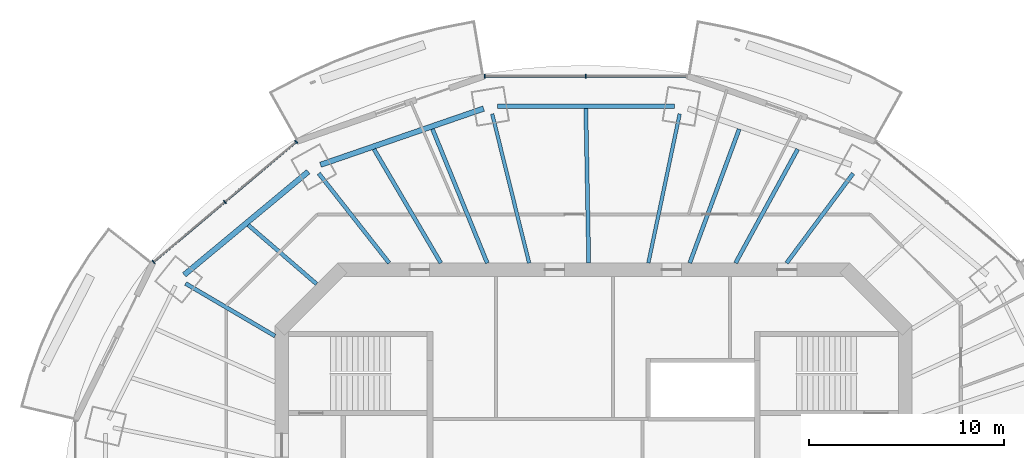
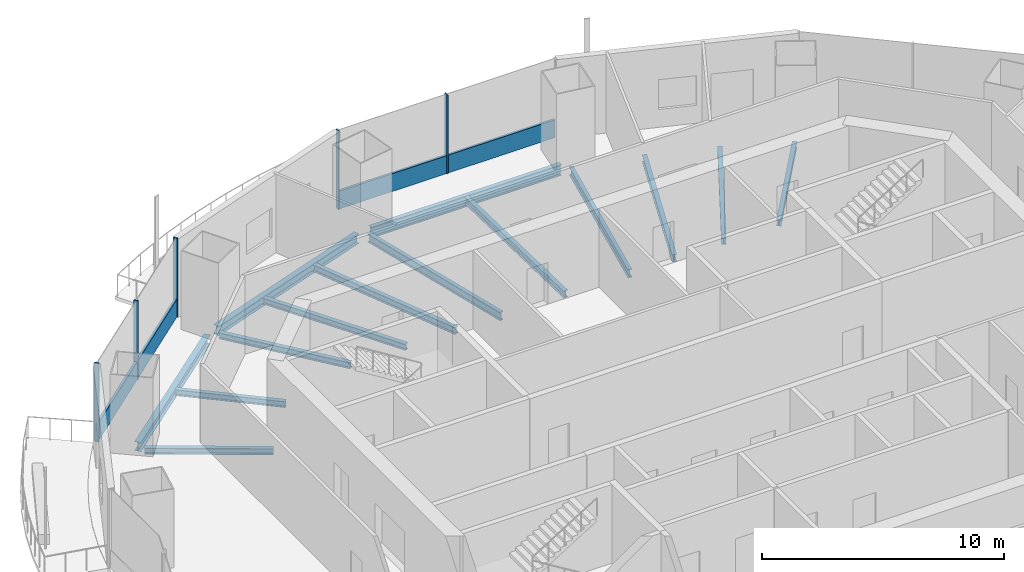
# One storey, part 5 of 16: 14 beams, 7 members, 2 elements without a shape of their own.
"""IFC4 building model written with IfcOpenShell, lengths in metres."""

from ifc_helpers import new_model, si_unit, direction, frame, origin, origin_2d, place, context, subcontext, project, spatial, rectangle, i_section, extrude, material, material_profile, profile_set, type_object, element, aggregate, save


model = new_model("IFC4")

# Units and contexts
model_context = context("Model", 3, precision=1e-05, world=origin(), true_north=direction((0.0, 1.0)))
body_context = subcontext(model_context, "Body", "Model", "MODEL_VIEW")
ifc_project = project(units=[si_unit("LENGTHUNIT", "METRE"), si_unit("AREAUNIT", "SQUARE_METRE"), si_unit("VOLUMEUNIT", "CUBIC_METRE"), si_unit("PLANEANGLEUNIT", "RADIAN"), si_unit("MASSUNIT", "GRAM", prefix="KILO")], contexts=[model_context])

# Site, building, storey
site_placement = place(None, origin())
site = spatial("IfcSite", under=ifc_project, at=site_placement, CompositionType="ELEMENT")
building_placement = place(site_placement, origin())
building = spatial("IfcBuilding", under=site, at=building_placement, Name="Marenthal Gate Tower", CompositionType="ELEMENT")
storey_placement = place(building_placement, frame((0.0, 0.0, 355.050048828125)))
storey = spatial("IfcBuildingStorey", under=building, at=storey_placement, Name="L80", CompositionType="ELEMENT", Elevation=355.050048828125)

# Curtain wall, members
ifc_material_1 = material(Name="Aluminium and glass", Category="aluminium")
curtain_wall_type = type_object("IfcCurtainWallType", Name="Curtain wall typical high", PredefinedType="NOTDEFINED", material=ifc_material_1)
curtain_wall_1_placement = place(storey_placement, origin())
curtain_wall_1 = element("IfcCurtainWall", 1, at=curtain_wall_1_placement, inside=storey, type_object=curtain_wall_type, Name="Curtain wall L80 bay 4", PredefinedType="NOTDEFINED")
ifc_material_2 = material(Name="Aluminium", Category="aluminium")
ifc_material_profile_1 = material_profile(ifc_material_2, rectangle(XDim=0.199951171875, YDim=0.06005859375, at=origin_2d()), Name="60x200 aluminium mullion")
ifc_profile_set_1 = profile_set([ifc_material_profile_1], Name="Aluminium")
member_type_1 = type_object("IfcMemberType", Name="Mullion 60x200 typical high", PredefinedType="MULLION", material=ifc_profile_set_1)
member_1_placement = place(storey_placement, frame((-0.39990234375, 22.944091796875, 0.0), z_axis=(0.0, 0.0, 1.0), x_axis=(0.0, -1.0, 0.0)))
member_1 = element("IfcMember", 2, at=member_1_placement, type_object=member_type_1, Name="Mullion L80 bay 4.2", PredefinedType="MULLION", context=body_context, shape_type="SweptSolid", body=[
    extrude(rectangle(XDim=0.199951171875, YDim=0.06005859375, at=origin_2d()), origin(), (0.0, 0.0, 1.0), 3.969970703125),
])
member_2_placement = place(storey_placement, frame((-5.580322265625, 22.944091796875, 0.0), z_axis=(0.0, 0.0, 1.0), x_axis=(0.0, -1.0, 0.0)))
member_2 = element("IfcMember", 3, at=member_2_placement, type_object=member_type_1, Name="Mullion L80 bay 4.3", PredefinedType="MULLION", context=body_context, shape_type="SweptSolid", body=[
    extrude(rectangle(XDim=0.199951171875, YDim=0.06005859375, at=origin_2d()), origin(), (0.0, 0.0, 1.0), 3.969970703125),
])

curtain_wall_2_placement = place(storey_placement, origin())
curtain_wall_2 = element("IfcCurtainWall", 4, at=curtain_wall_2_placement, inside=storey, type_object=curtain_wall_type, Name="Curtain wall L80 bay 6", PredefinedType="NOTDEFINED")
member_3_placement = place(storey_placement, frame((-15.260498046875, 19.56884765625, 0.0), z_axis=(0.0, 0.0, 1.0), x_axis=(0.643895579249, -0.765113379195, 0.0)))
member_3 = element("IfcMember", 5, at=member_3_placement, type_object=member_type_1, Name="Mullion L80 bay 6.1", PredefinedType="MULLION", context=body_context, shape_type="SweptSolid", body=[
    extrude(rectangle(XDim=0.199951171875, YDim=0.06005859375, at=origin_2d()), origin(), (0.0, 0.0, 1.0), 3.969970703125),
])
member_4_placement = place(storey_placement, frame((-18.921875, 16.487548828125, 0.0), z_axis=(0.0, 0.0, 1.0), x_axis=(0.643895579249, -0.765113379195, 0.0)))
member_4 = element("IfcMember", 6, at=member_4_placement, type_object=member_type_1, Name="Mullion L80 bay 6.2", PredefinedType="MULLION", context=body_context, shape_type="SweptSolid", body=[
    extrude(rectangle(XDim=0.199951171875, YDim=0.06005859375, at=origin_2d()), origin(), (0.0, 0.0, 1.0), 3.969970703125),
])
member_5_placement = place(storey_placement, frame((-22.583251953125, 13.40625, 0.0), z_axis=(0.0, 0.0, 1.0), x_axis=(0.643895579249, -0.765113379195, 0.0)))
member_5 = element("IfcMember", 7, at=member_5_placement, type_object=member_type_1, Name="Mullion L80 bay 6.3", PredefinedType="MULLION", context=body_context, shape_type="SweptSolid", body=[
    extrude(rectangle(XDim=0.199951171875, YDim=0.06005859375, at=origin_2d()), origin(), (0.0, 0.0, 1.0), 3.969970703125),
])

# Member
ifc_material_3 = material(Name="Aluminium", Category="aluminium")
ifc_material_profile_2 = material_profile(ifc_material_3, rectangle(XDim=0.1201171875, YDim=0.89990234375, at=origin_2d()), Name="120x900 aluminium transom")
ifc_profile_set_2 = profile_set([ifc_material_profile_2], Name="Aluminium")
member_type_2 = type_object("IfcMemberType", Name="Transom 120x900 typical high", PredefinedType="USERDEFINED", material=ifc_profile_set_2)
member_6_placement = place(storey_placement, frame((4.750244140625, 22.944091796875, 0.449951171875), z_axis=(-1.0, 0.0, 0.0), x_axis=(0.0, -1.0, 0.0)))
member_6 = element("IfcMember", 8, at=member_6_placement, type_object=member_type_2, Name="Transom L80 bay 4", ObjectType="TRANSOM", PredefinedType="USERDEFINED", context=body_context, shape_type="SweptSolid", body=[
    extrude(rectangle(XDim=0.1201171875, YDim=0.89990234375, at=origin_2d()), origin(), (0.0, 0.0, 1.0), 10.300537109375),
])

aggregate(curtain_wall_1, [member_1, member_2, member_6])

member_7_placement = place(storey_placement, frame((-15.283447265625, 19.549560546875, 0.449951171875), z_axis=(-0.765110860749, -0.643898571798, 0.0), x_axis=(0.643898571798, -0.765110860749, 0.0)))
member_7 = element("IfcMember", 9, at=member_7_placement, type_object=member_type_2, Name="Transom L80 bay 6", ObjectType="TRANSOM", PredefinedType="USERDEFINED", context=body_context, shape_type="SweptSolid", body=[
    extrude(rectangle(XDim=0.1201171875, YDim=0.89990234375, at=origin_2d()), origin(), (0.0, 0.0, 1.0), 9.5107421875),
])

aggregate(curtain_wall_2, [member_3, member_4, member_5, member_7])

# Beams
ifc_material_4 = material(Name="Steel S355", Category="steel")
ifc_material_profile_3 = material_profile(ifc_material_4, i_section(OverallWidth=0.202880859375, OverallDepth=0.302001953125, WebThickness=0.007568359375, FlangeThickness=0.01318359375, FilletRadius=0.0126953125, at=origin_2d()), Name="W310X60")
ifc_profile_set_3 = profile_set([ifc_material_profile_3], Name="Steel S355")
beam_type_1 = type_object("IfcBeamType", Name="W310X60 beam", PredefinedType="BEAM", material=ifc_profile_set_3)
beam_1_placement = place(storey_placement, frame((-17.718994140625, 15.29931640625, -0.3310546875), z_axis=(0.756893030268, -0.653538782882, 0.0), x_axis=(0.653538782882, 0.756893030268, 0.0)))
element("IfcBeam", 10, at=beam_1_placement, inside=storey, type_object=beam_type_1, Name="BM-L80-25", PredefinedType="BEAM", context=body_context, shape_type="SweptSolid", body=[
    extrude(i_section(OverallWidth=0.202880859375, OverallDepth=0.302001953125, WebThickness=0.007568359375, FlangeThickness=0.01318359375, FilletRadius=0.0126953125, at=origin_2d()), origin(), (0.0, 0.0, 1.0), 4.625244140625),
])
ifc_material_5 = material(Name="Steel S355", Category="steel")
ifc_material_profile_4 = material_profile(ifc_material_5, i_section(OverallWidth=0.205078125, OverallDepth=0.31005859375, WebThickness=0.009521484375, FlangeThickness=0.016357421875, FilletRadius=0.0126953125, at=origin_2d()), Name="W310X74")
ifc_profile_set_4 = profile_set([ifc_material_profile_4], Name="Steel S355")
beam_type_2 = type_object("IfcBeamType", Name="W310X74 beam", PredefinedType="BEAM", material=ifc_profile_set_4)
beam_2_placement = place(storey_placement, frame((13.31689453125, 17.947021484375, -0.3349609375), z_axis=(-0.595904600205, -0.803055233128, 0.0), x_axis=(0.803055233128, -0.595904600205, 0.0)))
element("IfcBeam", 11, at=beam_2_placement, inside=storey, type_object=beam_type_2, Name="BM-L80-03", PredefinedType="BEAM", context=body_context, shape_type="SweptSolid", body=[
    extrude(i_section(OverallWidth=0.205078125, OverallDepth=0.31005859375, WebThickness=0.009521484375, FlangeThickness=0.016357421875, FilletRadius=0.0126953125, at=origin_2d()), origin(), (0.0, 0.0, 1.0), 5.724365234375),
])
beam_3_placement = place(storey_placement, frame((-14.10546875, 17.95068359375, -0.3349609375), z_axis=(0.617873148228, -0.786277796138, 0.0), x_axis=(0.786277796138, 0.617873148228, 0.0)))
element("IfcBeam", 12, at=beam_3_placement, inside=storey, type_object=beam_type_2, Name="BM-L80-06", PredefinedType="BEAM", context=body_context, shape_type="SweptSolid", body=[
    extrude(i_section(OverallWidth=0.205078125, OverallDepth=0.31005859375, WebThickness=0.009521484375, FlangeThickness=0.016357421875, FilletRadius=0.0126953125, at=origin_2d()), origin(), (0.0, 0.0, 1.0), 5.85107421875),
])
beam_4_placement = place(storey_placement, frame((-20.939208984375, 12.3017578125, -0.3349609375), z_axis=(0.862215904587, -0.506540949852, 0.0), x_axis=(0.506540949852, 0.862215904587, 0.0)))
element("IfcBeam", 13, at=beam_4_placement, inside=storey, type_object=beam_type_2, Name="BM-L80-07", PredefinedType="BEAM", context=body_context, shape_type="SweptSolid", body=[
    extrude(i_section(OverallWidth=0.205078125, OverallDepth=0.31005859375, WebThickness=0.009521484375, FlangeThickness=0.016357421875, FilletRadius=0.0126953125, at=origin_2d()), origin(), (0.0, 0.0, 1.0), 5.322509765625),
])
beam_5_placement = place(storey_placement, frame((10.472900390625, 19.190185546875, -0.3349609375), z_axis=(-0.479083499801, -0.877769332011, 0.0), x_axis=(0.877769332011, -0.479083499801, 0.0)))
element("IfcBeam", 14, at=beam_5_placement, inside=storey, type_object=beam_type_2, Name="BM-L80-20", PredefinedType="BEAM", context=body_context, shape_type="SweptSolid", body=[
    extrude(i_section(OverallWidth=0.205078125, OverallDepth=0.31005859375, WebThickness=0.009521484375, FlangeThickness=0.016357421875, FilletRadius=0.0126953125, at=origin_2d()), origin(), (0.0, 0.0, 1.0), 6.6533203125),
])
beam_6_placement = place(storey_placement, frame((-11.2685546875, 19.191650390625, -0.3349609375), z_axis=(0.506358476452, -0.862323079435, 0.0), x_axis=(0.862323079435, 0.506358476452, 0.0)))
element("IfcBeam", 15, at=beam_6_placement, inside=storey, type_object=beam_type_2, Name="BM-L80-24", PredefinedType="BEAM", context=body_context, shape_type="SweptSolid", body=[
    extrude(i_section(OverallWidth=0.205078125, OverallDepth=0.31005859375, WebThickness=0.009521484375, FlangeThickness=0.016357421875, FilletRadius=0.0126953125, at=origin_2d()), origin(), (0.0, 0.0, 1.0), 6.774169921875),
])
ifc_material_6 = material(Name="Steel S355", Category="steel")
ifc_material_profile_5 = material_profile(ifc_material_6, i_section(OverallWidth=0.205078125, OverallDepth=0.35302734375, WebThickness=0.009521484375, FlangeThickness=0.016845703125, FilletRadius=0.014892578125, at=origin_2d()), Name="W360X79")
ifc_profile_set_5 = profile_set([ifc_material_profile_5], Name="Steel S355")
beam_type_3 = type_object("IfcBeamType", Name="W360X79 beam", PredefinedType="BEAM", material=ifc_profile_set_5)
beam_7_placement = place(storey_placement, frame((7.472900390625, 20.2236328125, -0.3564453125), z_axis=(-0.346599160147, -0.938013337957, 0.0), x_axis=(0.938013337957, -0.346599160147, 0.0)))
element("IfcBeam", 16, at=beam_7_placement, inside=storey, type_object=beam_type_3, Name="BM-L80-21", PredefinedType="BEAM", context=body_context, shape_type="SweptSolid", body=[
    extrude(i_section(OverallWidth=0.205078125, OverallDepth=0.35302734375, WebThickness=0.009521484375, FlangeThickness=0.016845703125, FilletRadius=0.014892578125, at=origin_2d()), origin(), (0.0, 0.0, 1.0), 7.32763671875),
])
beam_8_placement = place(storey_placement, frame((-0.39794921875, 21.28857421875, -0.3564453125), z_axis=(0.018695218948, -0.999825229122, 0.0), x_axis=(0.999825229122, 0.018695218948, 0.0)))
element("IfcBeam", 17, at=beam_8_placement, inside=storey, type_object=beam_type_3, Name="BM-L80-22", PredefinedType="BEAM", context=body_context, shape_type="SweptSolid", body=[
    extrude(i_section(OverallWidth=0.205078125, OverallDepth=0.35302734375, WebThickness=0.009521484375, FlangeThickness=0.016845703125, FilletRadius=0.014892578125, at=origin_2d()), origin(), (0.0, 0.0, 1.0), 7.93994140625),
])
beam_9_placement = place(storey_placement, frame((-8.268310546875, 20.22509765625, -0.3564453125), z_axis=(0.378407568357, -0.925639083126, 0.0), x_axis=(0.925639083126, 0.378407568357, 0.0)))
element("IfcBeam", 18, at=beam_9_placement, inside=storey, type_object=beam_type_3, Name="BM-L80-23", PredefinedType="BEAM", context=body_context, shape_type="SweptSolid", body=[
    extrude(i_section(OverallWidth=0.205078125, OverallDepth=0.35302734375, WebThickness=0.009521484375, FlangeThickness=0.016845703125, FilletRadius=0.014892578125, at=origin_2d()), origin(), (0.0, 0.0, 1.0), 7.42724609375),
])
ifc_material_7 = material(Name="Steel S355", Category="steel")
ifc_material_profile_6 = material_profile(ifc_material_7, i_section(OverallWidth=0.180908203125, OverallDepth=0.4169921875, WebThickness=0.010986328125, FlangeThickness=0.018310546875, FilletRadius=0.01025390625, at=origin_2d()), Name="W410X85")
ifc_profile_set_6 = profile_set([ifc_material_profile_6], Name="Steel S355")
beam_type_4 = type_object("IfcBeamType", Name="W410X85 beam", PredefinedType="BEAM", material=ifc_profile_set_6)
beam_10_placement = place(storey_placement, frame((4.41943359375, 21.002197265625, -0.388427734375), z_axis=(-0.205934953319, -0.978565682518, 0.0), x_axis=(0.978565682518, -0.205934953319, 0.0)))
element("IfcBeam", 19, at=beam_10_placement, inside=storey, type_object=beam_type_4, Name="BM-L80-04", PredefinedType="BEAM", context=body_context, shape_type="SweptSolid", body=[
    extrude(i_section(OverallWidth=0.180908203125, OverallDepth=0.4169921875, WebThickness=0.010986328125, FlangeThickness=0.018310546875, FilletRadius=0.01025390625, at=origin_2d()), origin(), (0.0, 0.0, 1.0), 7.81982421875),
])
beam_11_placement = place(storey_placement, frame((-5.205078125, 21.00341796875, -0.388427734375), z_axis=(0.240553471211, -0.970635888214, 0.0), x_axis=(0.970635888214, 0.240553471211, 0.0)))
element("IfcBeam", 20, at=beam_11_placement, inside=storey, type_object=beam_type_4, Name="BM-L80-05", PredefinedType="BEAM", context=body_context, shape_type="SweptSolid", body=[
    extrude(i_section(OverallWidth=0.180908203125, OverallDepth=0.4169921875, WebThickness=0.010986328125, FlangeThickness=0.018310546875, FilletRadius=0.01025390625, at=origin_2d()), origin(), (0.0, 0.0, 1.0), 7.884765625),
])
ifc_material_8 = material(Name="Steel S355", Category="steel")
ifc_material_profile_7 = material_profile(ifc_material_8, i_section(OverallWidth=0.279052734375, OverallDepth=0.4619140625, WebThickness=0.0107421875, FlangeThickness=0.017333984375, FilletRadius=0.010009765625, at=origin_2d()), Name="W460X113")
ifc_profile_set_7 = profile_set([ifc_material_profile_7], Name="Steel S355")
beam_type_5 = type_object("IfcBeamType", Name="W460X113 beam", PredefinedType="BEAM", material=ifc_profile_set_7)
beam_12_placement = place(storey_placement, frame((-5.644287109375, 21.276611328125, -0.4111328125), z_axis=(-0.945473435533, -0.325699221216, 0.0), x_axis=(0.325699221216, -0.945473435533, 0.0)))
element("IfcBeam", 21, at=beam_12_placement, inside=storey, type_object=beam_type_5, Name="BM-L80-44", PredefinedType="BEAM", context=body_context, shape_type="SweptSolid", body=[
    extrude(i_section(OverallWidth=0.279052734375, OverallDepth=0.4619140625, WebThickness=0.0107421875, FlangeThickness=0.017333984375, FilletRadius=0.010009765625, at=origin_2d()), origin(), (0.0, 0.0, 1.0), 8.85498046875),
])
beam_13_placement = place(storey_placement, frame((-14.640380859375, 18.041015625, -0.4111328125), z_axis=(-0.768870696741, -0.639404294396, 0.0), x_axis=(0.639404294396, -0.768870696741, 0.0)))
element("IfcBeam", 22, at=beam_13_placement, inside=storey, type_object=beam_type_5, Name="BM-L80-45", PredefinedType="BEAM", context=body_context, shape_type="SweptSolid", body=[
    extrude(i_section(OverallWidth=0.279052734375, OverallDepth=0.4619140625, WebThickness=0.0107421875, FlangeThickness=0.017333984375, FilletRadius=0.010009765625, at=origin_2d()), origin(), (0.0, 0.0, 1.0), 8.2841796875),
])
ifc_material_9 = material(Name="Steel S355", Category="steel")
ifc_material_profile_8 = material_profile(ifc_material_9, i_section(OverallWidth=0.2119140625, OverallDepth=0.5439453125, WebThickness=0.01318359375, FlangeThickness=0.021240234375, FilletRadius=0.0126953125, at=origin_2d()), Name="W530X123")
ifc_profile_set_8 = profile_set([ifc_material_profile_8], Name="Steel S355")
beam_type_6 = type_object("IfcBeamType", Name="W530X123 beam", PredefinedType="BEAM", material=ifc_profile_set_8)
beam_14_placement = place(storey_placement, frame((4.140380859375, 21.39453125, -0.4521484375), z_axis=(-1.0, 0.0, 0.0), x_axis=(0.0, -1.0, 0.0)))
element("IfcBeam", 23, at=beam_14_placement, inside=storey, type_object=beam_type_6, Name="BM-L80-43", PredefinedType="BEAM", context=body_context, shape_type="SweptSolid", body=[
    extrude(i_section(OverallWidth=0.2119140625, OverallDepth=0.5439453125, WebThickness=0.01318359375, FlangeThickness=0.021240234375, FilletRadius=0.0126953125, at=origin_2d()), origin(), (0.0, 0.0, 1.0), 9.080810546875),
])

save(model, "model.ifc")
